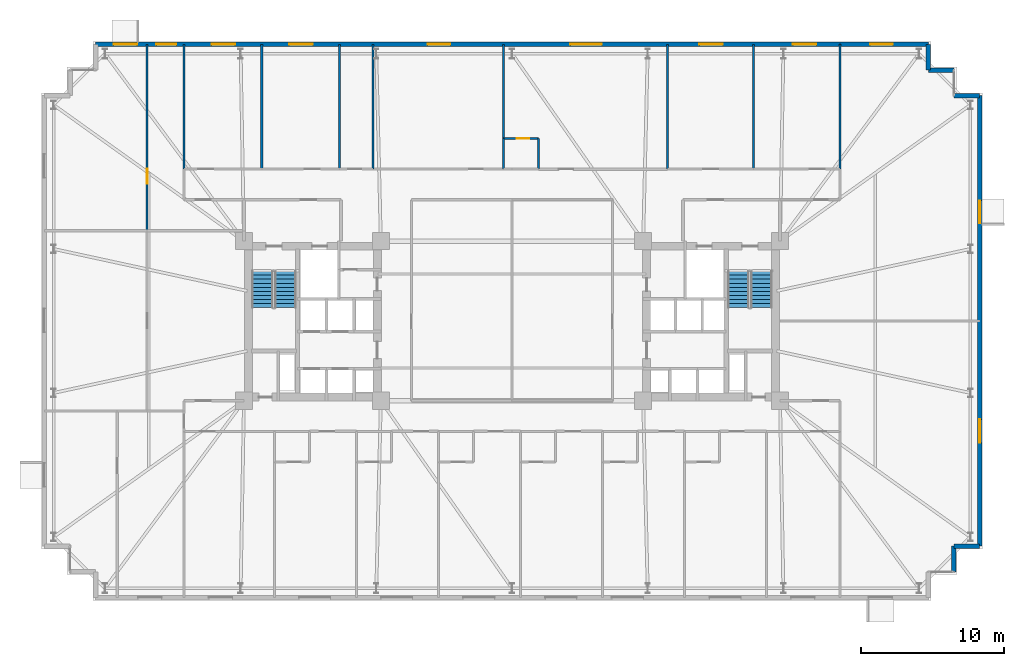
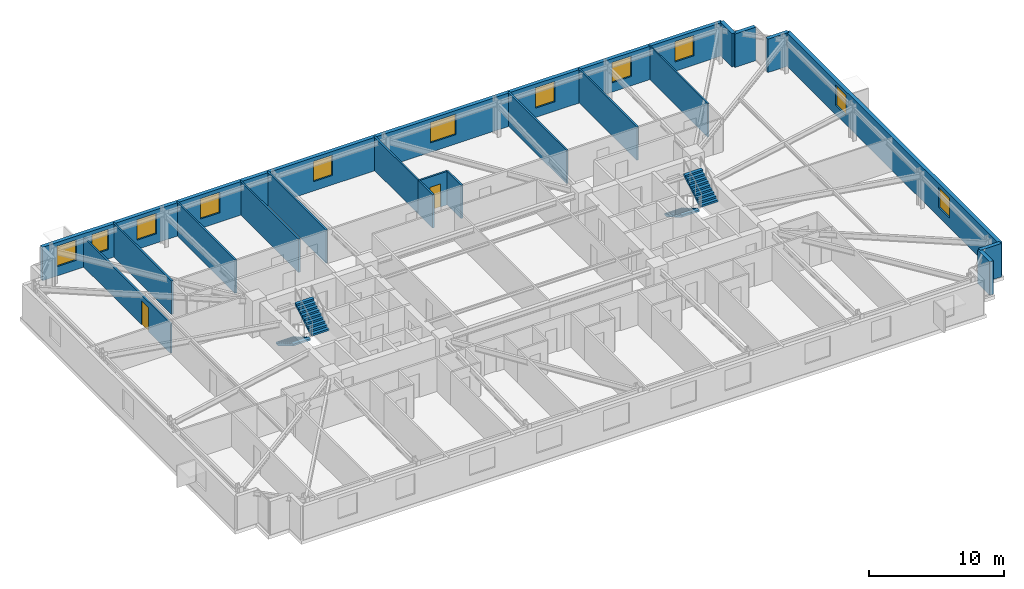
# One storey, part 18 of 20: 19 walls, 11 windows, 4 stair flights, 2 doors, 13 openings, 2 elements without a shape of their own.
"""IFC4 building model written with IfcOpenShell, lengths in metres."""

from ifc_helpers import new_model, si_unit, direction, frame, frame_2d, origin, place, context, subcontext, project, spatial, polyline, rectangle, outline, extrude, material, layer, layer_set, type_object, element, fill, aggregate, save


model = new_model("IFC4")

# Units and contexts
model_context = context("Model", 3, precision=1e-05, world=origin(), true_north=direction((0.0, 1.0)))
body_context = subcontext(model_context, "Body", "Model", "MODEL_VIEW")
ifc_project = project(units=[si_unit("LENGTHUNIT", "METRE"), si_unit("AREAUNIT", "SQUARE_METRE"), si_unit("VOLUMEUNIT", "CUBIC_METRE"), si_unit("PLANEANGLEUNIT", "RADIAN"), si_unit("MASSUNIT", "GRAM", prefix="KILO")], contexts=[model_context])

# Site, building, storey
site_placement = place(None, origin())
site = spatial("IfcSite", under=ifc_project, at=site_placement, CompositionType="ELEMENT")
building_placement = place(site_placement, origin())
building = spatial("IfcBuilding", under=site, at=building_placement, Name="Qobustan Lattice House", CompositionType="ELEMENT")
storey_placement = place(building_placement, frame((0.0, 0.0, 63.85009765625)))
storey = spatial("IfcBuildingStorey", under=building, at=storey_placement, Name="L17", CompositionType="ELEMENT", Elevation=63.85009765625)

# Wall, openings, windows
ifc_material_1 = material(Name="Precast concrete C40/50", Category="concrete")
ifc_layer_1 = layer(ifc_material_1, 0.320068359375)
ifc_layer_set_1 = layer_set([ifc_layer_1], Name="Precast concrete C40/50")
wall_type_1 = type_object("IfcWallType", Name="WAL-EXT-STONE-320", PredefinedType="SOLIDWALL", material=ifc_layer_set_1)
wall_1_placement = place(storey_placement, frame((-29.199951171875, 19.39990234375, 0.0), z_axis=(0.0, 0.0, 1.0), x_axis=(1.0, 0.0, 0.0)))
wall_1 = element("IfcWall", 1, at=wall_1_placement, inside=storey, type_object=wall_type_1, Name="L17 exterior limestone-clad wall 10", PredefinedType="SOLIDWALL", context=body_context, shape_type="SweptSolid", body=[
    extrude(rectangle(XDim=58.39990234375, YDim=0.320068359375, at=frame_2d((29.199951171875, 0.0))), origin(), (0.0, 0.0, 1.0), 3.034912109375),
])
opening_1_placement = place(wall_1_placement, frame((1.2548828125, 0.0, 0.85009765625)))
opening_1 = element("IfcOpeningElement", 2, at=opening_1_placement, cuts=wall_1, Name="Opening WN-09", PredefinedType="OPENING", context=body_context, shape_type="SweptSolid", body=[
    extrude(rectangle(XDim=1.64990234375, YDim=1.85009765625, at=frame_2d((0.824951171875, 0.925048828125))), frame((0.0, 0.169921875, 0.0), z_axis=(0.0, -1.0, 0.0), x_axis=(1.0, 0.0, 0.0)), (0.0, 0.0, 1.0), 0.340087890625),
])
opening_2_placement = place(wall_1_placement, frame((4.260009765625, 0.0, 0.85009765625)))
opening_2 = element("IfcOpeningElement", 3, at=opening_2_placement, cuts=wall_1, Name="Opening WN-12", PredefinedType="OPENING", context=body_context, shape_type="SweptSolid", body=[
    extrude(rectangle(XDim=1.39990234375, YDim=1.85009765625, at=frame_2d((0.699951171875, 0.925048828125))), frame((0.0, 0.169921875, 0.0), z_axis=(0.0, -1.0, 0.0), x_axis=(1.0, 0.0, 0.0)), (0.0, 0.0, 1.0), 0.340087890625),
])
opening_3_placement = place(wall_1_placement, frame((8.135009765625, 0.0, 0.85009765625)))
opening_3 = element("IfcOpeningElement", 4, at=opening_3_placement, cuts=wall_1, Name="Opening WN-09", PredefinedType="OPENING", context=body_context, shape_type="SweptSolid", body=[
    extrude(rectangle(XDim=1.64990234375, YDim=1.85009765625, at=frame_2d((0.824951171875, 0.925048828125))), frame((0.0, 0.169921875, 0.0), z_axis=(0.0, -1.0, 0.0), x_axis=(1.0, 0.0, 0.0)), (0.0, 0.0, 1.0), 0.340087890625),
])
opening_4_placement = place(wall_1_placement, frame((13.574951171875, 0.0, 0.85009765625)))
opening_4 = element("IfcOpeningElement", 5, at=opening_4_placement, cuts=wall_1, Name="Opening WN-09", PredefinedType="OPENING", context=body_context, shape_type="SweptSolid", body=[
    extrude(rectangle(XDim=1.64990234375, YDim=1.85009765625, at=frame_2d((0.824951171875, 0.925048828125))), frame((0.0, 0.169921875, 0.0), z_axis=(0.0, -1.0, 0.0), x_axis=(1.0, 0.0, 0.0)), (0.0, 0.0, 1.0), 0.340087890625),
])
opening_5_placement = place(wall_1_placement, frame((23.280029296875, 0.0, 0.85009765625)))
opening_5 = element("IfcOpeningElement", 6, at=opening_5_placement, cuts=wall_1, Name="Opening WN-13", PredefinedType="OPENING", context=body_context, shape_type="SweptSolid", body=[
    extrude(rectangle(XDim=1.60009765625, YDim=1.85009765625, at=frame_2d((0.800048828125, 0.925048828125))), frame((0.0, 0.169921875, 0.0), z_axis=(0.0, -1.0, 0.0), x_axis=(1.0, 0.0, 0.0)), (0.0, 0.0, 1.0), 0.340087890625),
])
opening_6_placement = place(wall_1_placement, frame((33.300048828125, 0.0, 0.85009765625)))
opening_6 = element("IfcOpeningElement", 7, at=opening_6_placement, cuts=wall_1, Name="Opening WN-03", PredefinedType="OPENING", context=body_context, shape_type="SweptSolid", body=[
    extrude(rectangle(XDim=2.199951171875, YDim=1.85009765625, at=frame_2d((1.10009765625, 0.925048828125))), frame((0.0, 0.169921875, 0.0), z_axis=(0.0, -1.0, 0.0), x_axis=(1.0, 0.0, 0.0)), (0.0, 0.0, 1.0), 0.340087890625),
])
opening_7_placement = place(wall_1_placement, frame((42.3349609375, 0.0, 0.85009765625)))
opening_7 = element("IfcOpeningElement", 8, at=opening_7_placement, cuts=wall_1, Name="Opening WN-09", PredefinedType="OPENING", context=body_context, shape_type="SweptSolid", body=[
    extrude(rectangle(XDim=1.64990234375, YDim=1.85009765625, at=frame_2d((0.824951171875, 0.925048828125))), frame((0.0, 0.169921875, 0.0), z_axis=(0.0, -1.0, 0.0), x_axis=(1.0, 0.0, 0.0)), (0.0, 0.0, 1.0), 0.340087890625),
])
opening_8_placement = place(wall_1_placement, frame((48.904541015625, 0.0, 0.85009765625)))
opening_8 = element("IfcOpeningElement", 9, at=opening_8_placement, cuts=wall_1, Name="Opening WN-09", PredefinedType="OPENING", context=body_context, shape_type="SweptSolid", body=[
    extrude(rectangle(XDim=1.64990234375, YDim=1.85009765625, at=frame_2d((0.824951171875, 0.925048828125))), frame((0.0, 0.169921875, 0.0), z_axis=(0.0, -1.0, 0.0), x_axis=(1.0, 0.0, 0.0)), (0.0, 0.0, 1.0), 0.340087890625),
])
opening_9_placement = place(wall_1_placement, frame((54.320068359375, 0.0, 0.85009765625)))
opening_9 = element("IfcOpeningElement", 10, at=opening_9_placement, cuts=wall_1, Name="Opening WN-13", PredefinedType="OPENING", context=body_context, shape_type="SweptSolid", body=[
    extrude(rectangle(XDim=1.60009765625, YDim=1.85009765625, at=frame_2d((0.800048828125, 0.925048828125))), frame((0.0, 0.169921875, 0.0), z_axis=(0.0, -1.0, 0.0), x_axis=(1.0, 0.0, 0.0)), (0.0, 0.0, 1.0), 0.340087890625),
])
ifc_material_2 = material(Name="Double-glazed low-E aluminium window", Category="aluminium")
window_type_1 = type_object("IfcWindowType", Name="WIN-BED-1400x1850", PartitioningType="SINGLE_PANEL", PredefinedType="WINDOW", material=ifc_material_2)
window_1_placement = place(opening_2_placement, origin())
window_1 = element("IfcWindow", 11, at=window_1_placement, inside=storey, type_object=window_type_1, Name="L17 Focus study room W3B window", OverallHeight=1.85009765625, OverallWidth=1.39990234375, PartitioningType="SINGLE_PANEL", PredefinedType="WINDOW", context=body_context, shape_type="SweptSolid", body=[
    extrude(rectangle(XDim=1.39990234375, YDim=1.85009765625, at=frame_2d((0.699951171875, 0.925048828125))), frame((0.0, 0.030029296875, 0.0), z_axis=(0.0, -1.0, 0.0), x_axis=(1.0, 0.0, 0.0)), (0.0, 0.0, 1.0), 0.06005859375),
])
fill(opening_2, window_1)
ifc_material_3 = material(Name="Double-glazed low-E aluminium window", Category="aluminium")
window_type_2 = type_object("IfcWindowType", Name="WIN-BED-1600x1850", PartitioningType="SINGLE_PANEL", PredefinedType="WINDOW", material=ifc_material_3)
window_2_placement = place(opening_5_placement, origin())
window_2 = element("IfcWindow", 12, at=window_2_placement, inside=storey, type_object=window_type_2, Name="L17 Laundry utility room window", OverallHeight=1.85009765625, OverallWidth=1.60009765625, PartitioningType="SINGLE_PANEL", PredefinedType="WINDOW", context=body_context, shape_type="SweptSolid", body=[
    extrude(rectangle(XDim=1.60009765625, YDim=1.85009765625, at=frame_2d((0.800048828125, 0.925048828125))), frame((0.0, 0.030029296875, 0.0), z_axis=(0.0, -1.0, 0.0), x_axis=(1.0, 0.0, 0.0)), (0.0, 0.0, 1.0), 0.06005859375),
])
fill(opening_5, window_2)
window_3_placement = place(opening_9_placement, origin())
window_3 = element("IfcWindow", 13, at=window_3_placement, inside=storey, type_object=window_type_2, Name="L17 Music and podcast studio window", OverallHeight=1.85009765625, OverallWidth=1.60009765625, PartitioningType="SINGLE_PANEL", PredefinedType="WINDOW", context=body_context, shape_type="SweptSolid", body=[
    extrude(rectangle(XDim=1.60009765625, YDim=1.85009765625, at=frame_2d((0.800048828125, 0.925048828125))), frame((0.0, 0.030029296875, 0.0), z_axis=(0.0, -1.0, 0.0), x_axis=(1.0, 0.0, 0.0)), (0.0, 0.0, 1.0), 0.06005859375),
])
fill(opening_9, window_3)
ifc_material_4 = material(Name="Double-glazed low-E aluminium window", Category="aluminium")
window_type_3 = type_object("IfcWindowType", Name="WIN-STU-1650x1850", PartitioningType="SINGLE_PANEL", PredefinedType="WINDOW", material=ifc_material_4)
window_4_placement = place(opening_1_placement, origin())
window_4 = element("IfcWindow", 14, at=window_4_placement, inside=storey, type_object=window_type_3, Name="L17 Focus study room W3A window", OverallHeight=1.85009765625, OverallWidth=1.64990234375, PartitioningType="SINGLE_PANEL", PredefinedType="WINDOW", context=body_context, shape_type="SweptSolid", body=[
    extrude(rectangle(XDim=1.64990234375, YDim=1.85009765625, at=frame_2d((0.824951171875, 0.925048828125))), frame((0.0, 0.030029296875, 0.0), z_axis=(0.0, -1.0, 0.0), x_axis=(1.0, 0.0, 0.0)), (0.0, 0.0, 1.0), 0.06005859375),
])
fill(opening_1, window_4)
window_5_placement = place(opening_3_placement, origin())
window_5 = element("IfcWindow", 15, at=window_5_placement, inside=storey, type_object=window_type_3, Name="L17 Focus study room N1A window", OverallHeight=1.85009765625, OverallWidth=1.64990234375, PartitioningType="SINGLE_PANEL", PredefinedType="WINDOW", context=body_context, shape_type="SweptSolid", body=[
    extrude(rectangle(XDim=1.64990234375, YDim=1.85009765625, at=frame_2d((0.824951171875, 0.925048828125))), frame((0.0, 0.030029296875, 0.0), z_axis=(0.0, -1.0, 0.0), x_axis=(1.0, 0.0, 0.0)), (0.0, 0.0, 1.0), 0.06005859375),
])
fill(opening_3, window_5)
window_6_placement = place(opening_4_placement, origin())
window_6 = element("IfcWindow", 16, at=window_6_placement, inside=storey, type_object=window_type_3, Name="L17 Focus study room N1B window", OverallHeight=1.85009765625, OverallWidth=1.64990234375, PartitioningType="SINGLE_PANEL", PredefinedType="WINDOW", context=body_context, shape_type="SweptSolid", body=[
    extrude(rectangle(XDim=1.64990234375, YDim=1.85009765625, at=frame_2d((0.824951171875, 0.925048828125))), frame((0.0, 0.030029296875, 0.0), z_axis=(0.0, -1.0, 0.0), x_axis=(1.0, 0.0, 0.0)), (0.0, 0.0, 1.0), 0.06005859375),
])
fill(opening_4, window_6)
window_7_placement = place(opening_7_placement, origin())
window_7 = element("IfcWindow", 17, at=window_7_placement, inside=storey, type_object=window_type_3, Name="L17 Focus study room N4A window", OverallHeight=1.85009765625, OverallWidth=1.64990234375, PartitioningType="SINGLE_PANEL", PredefinedType="WINDOW", context=body_context, shape_type="SweptSolid", body=[
    extrude(rectangle(XDim=1.64990234375, YDim=1.85009765625, at=frame_2d((0.824951171875, 0.925048828125))), frame((0.0, 0.030029296875, 0.0), z_axis=(0.0, -1.0, 0.0), x_axis=(1.0, 0.0, 0.0)), (0.0, 0.0, 1.0), 0.06005859375),
])
fill(opening_7, window_7)
window_8_placement = place(opening_8_placement, origin())
window_8 = element("IfcWindow", 18, at=window_8_placement, inside=storey, type_object=window_type_3, Name="L17 Focus study room N4B window", OverallHeight=1.85009765625, OverallWidth=1.64990234375, PartitioningType="SINGLE_PANEL", PredefinedType="WINDOW", context=body_context, shape_type="SweptSolid", body=[
    extrude(rectangle(XDim=1.64990234375, YDim=1.85009765625, at=frame_2d((0.824951171875, 0.925048828125))), frame((0.0, 0.030029296875, 0.0), z_axis=(0.0, -1.0, 0.0), x_axis=(1.0, 0.0, 0.0)), (0.0, 0.0, 1.0), 0.06005859375),
])
fill(opening_8, window_8)
ifc_material_5 = material(Name="Double-glazed low-E aluminium window", Category="aluminium")
window_type_4 = type_object("IfcWindowType", Name="WIN-WIDE-2200x1850", PartitioningType="SINGLE_PANEL", PredefinedType="WINDOW", material=ifc_material_5)
window_9_placement = place(opening_6_placement, origin())
window_9 = element("IfcWindow", 19, at=window_9_placement, inside=storey, type_object=window_type_4, Name="L17 Kitchenette and studio apartment L17-N3 window", OverallHeight=1.85009765625, OverallWidth=2.199951171875, PartitioningType="SINGLE_PANEL", PredefinedType="WINDOW", context=body_context, shape_type="SweptSolid", body=[
    extrude(rectangle(XDim=2.199951171875, YDim=1.85009765625, at=frame_2d((1.10009765625, 0.925048828125))), frame((0.0, 0.030029296875, 0.0), z_axis=(0.0, -1.0, 0.0), x_axis=(1.0, 0.0, 0.0)), (0.0, 0.0, 1.0), 0.06005859375),
])
fill(opening_6, window_9)

# Walls
wall_2_placement = place(storey_placement, frame((29.199951171875, 19.39990234375, 0.0), z_axis=(0.0, 0.0, 1.0), x_axis=(0.0, -1.0, 0.0)))
element("IfcWall", 20, at=wall_2_placement, inside=storey, type_object=wall_type_1, Name="L17 exterior limestone-clad wall 11", PredefinedType="SOLIDWALL", context=body_context, shape_type="SweptSolid", body=[
    extrude(rectangle(XDim=1.7998046875, YDim=0.320068359375, at=frame_2d((0.89990234375, 0.0))), origin(), (0.0, 0.0, 1.0), 3.034912109375),
])
for number, where, z_axis, x_axis, name in (
    (21, (29.199951171875, 17.60009765625, 0.0), (0.0, 0.0, 1.0), (1.0, 0.0, 0.0), "L17 exterior limestone-clad wall 12"),
    (22, (31.0, 15.800048828125, 0.0), (0.0, 0.0, 1.0), (1.0, 0.0, 0.0), "L17 exterior limestone-clad wall 14"),
):
    element("IfcWall", number, at=place(storey_placement, frame(where, z_axis=z_axis, x_axis=x_axis)), inside=storey, type_object=wall_type_1, Name=name, PredefinedType="SOLIDWALL", context=body_context, shape_type="SweptSolid", body=[
        extrude(rectangle(XDim=1.800048828125, YDim=0.320068359375, at=frame_2d((0.89990234375, 0.0))), origin(), (0.0, 0.0, 1.0), 3.034912109375),
    ])

# Wall, openings, windows
wall_3_placement = place(storey_placement, frame((32.800048828125, 15.800048828125, 0.0), z_axis=(0.0, 0.0, 1.0), x_axis=(0.0, -1.0, 0.0)))
wall_3 = element("IfcWall", 23, at=wall_3_placement, inside=storey, type_object=wall_type_1, Name="L17 exterior limestone-clad wall 15", PredefinedType="SOLIDWALL", context=body_context, shape_type="SweptSolid", body=[
    extrude(rectangle(XDim=31.60009765625, YDim=0.320068359375, at=frame_2d((15.800048828125, 0.0))), origin(), (0.0, 0.0, 1.0), 3.034912109375),
])
opening_10_placement = place(wall_3_placement, frame((7.360107421875, 0.0, 0.85009765625)))
opening_10 = element("IfcOpeningElement", 24, at=opening_10_placement, cuts=wall_3, Name="Opening WN-13", PredefinedType="OPENING", context=body_context, shape_type="SweptSolid", body=[
    extrude(rectangle(XDim=1.60009765625, YDim=1.85009765625, at=frame_2d((0.800048828125, 0.925048828125))), frame((0.0, 0.169921875, 0.0), z_axis=(0.0, -1.0, 0.0), x_axis=(1.0, 0.0, 0.0)), (0.0, 0.0, 1.0), 0.340087890625),
])
opening_11_placement = place(wall_3_placement, frame((22.695068359375, 0.0, 0.85009765625)))
opening_11 = element("IfcOpeningElement", 25, at=opening_11_placement, cuts=wall_3, Name="Opening WN-09", PredefinedType="OPENING", context=body_context, shape_type="SweptSolid", body=[
    extrude(rectangle(XDim=1.64990234375, YDim=1.85009765625, at=frame_2d((0.824951171875, 0.925048828125))), frame((0.0, 0.169921875, 0.0), z_axis=(0.0, -1.0, 0.0), x_axis=(1.0, 0.0, 0.0)), (0.0, 0.0, 1.0), 0.340087890625),
])
window_10_placement = place(opening_10_placement, origin())
window_10 = element("IfcWindow", 26, at=window_10_placement, inside=storey, type_object=window_type_2, Name="L17 Music and podcast studio window", OverallHeight=1.85009765625, OverallWidth=1.60009765625, PartitioningType="SINGLE_PANEL", PredefinedType="WINDOW", context=body_context, shape_type="SweptSolid", body=[
    extrude(rectangle(XDim=1.60009765625, YDim=1.85009765625, at=frame_2d((0.800048828125, 0.925048828125))), frame((0.0, 0.030029296875, 0.0), z_axis=(0.0, -1.0, 0.0), x_axis=(1.0, 0.0, 0.0)), (0.0, 0.0, 1.0), 0.06005859375),
])
fill(opening_10, window_10)
window_11_placement = place(opening_11_placement, origin())
window_11 = element("IfcWindow", 27, at=window_11_placement, inside=storey, type_object=window_type_3, Name="L17 Academic seminar room window", OverallHeight=1.85009765625, OverallWidth=1.64990234375, PartitioningType="SINGLE_PANEL", PredefinedType="WINDOW", context=body_context, shape_type="SweptSolid", body=[
    extrude(rectangle(XDim=1.64990234375, YDim=1.85009765625, at=frame_2d((0.824951171875, 0.925048828125))), frame((0.0, 0.030029296875, 0.0), z_axis=(0.0, -1.0, 0.0), x_axis=(1.0, 0.0, 0.0)), (0.0, 0.0, 1.0), 0.06005859375),
])
fill(opening_11, window_11)

# Walls
for number, where, z_axis, x_axis, name in (
    (28, (32.800048828125, -15.800048828125, 0.0), (0.0, 0.0, 1.0), (-1.0, 0.0, 0.0), "L17 exterior limestone-clad wall 16"),
    (29, (31.0, -15.800048828125, 0.0), (0.0, 0.0, 1.0), (0.0, -1.0, 0.0), "L17 exterior limestone-clad wall 17"),
):
    element("IfcWall", number, at=place(storey_placement, frame(where, z_axis=z_axis, x_axis=x_axis)), inside=storey, type_object=wall_type_1, Name=name, PredefinedType="SOLIDWALL", context=body_context, shape_type="SweptSolid", body=[
        extrude(rectangle(XDim=1.800048828125, YDim=0.320068359375, at=frame_2d((0.89990234375, 0.0))), origin(), (0.0, 0.0, 1.0), 3.034912109375),
    ])
ifc_material_6 = material(Name="Lightweight acoustic stud partition", Category="gypsum")
ifc_layer_2 = layer(ifc_material_6, 0.125)
ifc_layer_set_2 = layer_set([ifc_layer_2], Name="Lightweight acoustic stud partition")
wall_type_2 = type_object("IfcWallType", Name="WAL-PART-125", PredefinedType="PARTITIONING", material=ifc_layer_set_2)
wall_4_placement = place(storey_placement, frame((23.0, 10.64990234375, 0.0), z_axis=(0.0, 0.0, 1.0), x_axis=(0.0, 1.0, 0.0)))
element("IfcWall", 30, at=wall_4_placement, inside=storey, type_object=wall_type_2, Name="L17 interior partition 89", PredefinedType="PARTITIONING", context=body_context, shape_type="SweptSolid", body=[
    extrude(rectangle(XDim=8.75, YDim=0.125, at=frame_2d((4.375, 0.0))), origin(), (0.0, 0.0, 1.0), 3.034912109375),
])

# Wall, opening, door
ifc_material_7 = material(Name="Acoustic twin-stud gypsum partition", Category="gypsum")
ifc_layer_3 = layer(ifc_material_7, 0.14990234375)
ifc_layer_set_3 = layer_set([ifc_layer_3], Name="Acoustic twin-stud gypsum partition")
wall_type_3 = type_object("IfcWallType", Name="WAL-PART-150", PredefinedType="PARTITIONING", material=ifc_layer_set_3)
wall_5_placement = place(storey_placement, frame((-25.590087890625, 19.39990234375, 0.0), z_axis=(0.0, 0.0, 1.0), x_axis=(0.0, -1.0, 0.0)))
wall_5 = element("IfcWall", 31, at=wall_5_placement, inside=storey, type_object=wall_type_3, Name="L17 interior partition 85", PredefinedType="PARTITIONING", context=body_context, shape_type="SweptSolid", body=[
    extrude(rectangle(XDim=13.072998046875, YDim=0.14990234375, at=frame_2d((6.53662109375, 0.0))), origin(), (0.0, 0.0, 1.0), 2.68994140625),
])
opening_12_placement = place(wall_5_placement, frame((8.727294921875, 0.0, 0.0)))
opening_12 = element("IfcOpeningElement", 32, at=opening_12_placement, cuts=wall_5, Name="Opening ID-02", PredefinedType="OPENING", context=body_context, shape_type="SweptSolid", body=[
    extrude(rectangle(XDim=1.050048828125, YDim=2.14990234375, at=frame_2d((0.52490234375, 1.074951171875))), frame((0.0, 0.0849609375, 0.0), z_axis=(0.0, -1.0, 0.0), x_axis=(1.0, 0.0, 0.0)), (0.0, 0.0, 1.0), 0.169921875),
])
ifc_material_8 = material(Name="Persian walnut timber and steel frame door", Category="steel")
door_type_1 = type_object("IfcDoorType", Name="DOR-STUDY-1050x2150", OperationType="NOTDEFINED", PredefinedType="DOOR", material=ifc_material_8)
door_1_placement = place(opening_12_placement, origin())
door_1 = element("IfcDoor", 33, at=door_1_placement, inside=storey, type_object=door_type_1, Name="L17 Focus study room W3A to Focus study room W3B door", OperationType="SINGLE_SWING_LEFT", OverallHeight=2.14990234375, OverallWidth=1.050048828125, PredefinedType="DOOR", context=body_context, shape_type="SweptSolid", body=[
    extrude(rectangle(XDim=1.050048828125, YDim=2.14990234375, at=frame_2d((0.52490234375, 1.074951171875))), frame((0.0, 0.02490234375, 0.0), z_axis=(0.0, -1.0, 0.0), x_axis=(1.0, 0.0, 0.0)), (0.0, 0.0, 1.0), 0.050048828125),
])
fill(opening_12, door_1)

# Walls
for number, where, z_axis, x_axis, name in (
    (34, (-23.0, 19.39990234375, 0.0), (0.0, 0.0, 1.0), (0.0, -1.0, 0.0), "L17 interior partition 86"),
    (35, (-17.550048828125, 19.39990234375, 0.0), (0.0, 0.0, 1.0), (0.0, -1.0, 0.0), "L17 interior partition 90"),
):
    element("IfcWall", number, at=place(storey_placement, frame(where, z_axis=z_axis, x_axis=x_axis)), inside=storey, type_object=wall_type_3, Name=name, PredefinedType="PARTITIONING", context=body_context, shape_type="SweptSolid", body=[
        extrude(rectangle(XDim=8.75, YDim=0.14990234375, at=frame_2d((4.375, 0.0))), origin(), (0.0, 0.0, 1.0), 3.034912109375),
    ])
wall_6_placement = place(storey_placement, frame((-0.60009765625, 19.39990234375, 0.0), z_axis=(0.0, 0.0, 1.0), x_axis=(0.0, -1.0, 0.0)))
element("IfcWall", 36, at=wall_6_placement, inside=storey, type_object=wall_type_3, Name="L17 interior partition 93", PredefinedType="PARTITIONING", context=body_context, shape_type="SweptSolid", body=[
    extrude(rectangle(XDim=6.599853515625, YDim=0.14990234375, at=frame_2d((3.2998046875, 0.0))), origin(), (0.0, 0.0, 1.0), 3.034912109375),
])
for number, where, z_axis, x_axis, name in (
    (37, (10.89990234375, 19.39990234375, 0.0), (0.0, 0.0, 1.0), (0.0, -1.0, 0.0), "L17 interior partition 97"),
    (38, (16.949951171875, 19.39990234375, 0.0), (0.0, 0.0, 1.0), (0.0, -1.0, 0.0), "L17 interior partition 98"),
):
    element("IfcWall", number, at=place(storey_placement, frame(where, z_axis=z_axis, x_axis=x_axis)), inside=storey, type_object=wall_type_3, Name=name, PredefinedType="PARTITIONING", context=body_context, shape_type="SweptSolid", body=[
        extrude(rectangle(XDim=8.75, YDim=0.14990234375, at=frame_2d((4.375, 0.0))), origin(), (0.0, 0.0, 1.0), 3.034912109375),
    ])
ifc_material_9 = material(Name="Moisture-resistant acoustic plumbing wall", Category="gypsum")
ifc_layer_4 = layer(ifc_material_9, 0.14990234375)
ifc_layer_set_4 = layer_set([ifc_layer_4], Name="Moisture-resistant acoustic plumbing wall")
wall_type_4 = type_object("IfcWallType", Name="WAL-WET-150", PredefinedType="PLUMBINGWALL", material=ifc_layer_set_4)
for number, where, z_axis, x_axis, name in (
    (39, (-12.10009765625, 19.39990234375, 0.0), (0.0, 0.0, 1.0), (0.0, -1.0, 0.0), "L17 interior partition 91"),
    (40, (-9.75, 19.39990234375, 0.0), (0.0, 0.0, 1.0), (0.0, -1.0, 0.0), "L17 interior partition 92"),
):
    element("IfcWall", number, at=place(storey_placement, frame(where, z_axis=z_axis, x_axis=x_axis)), inside=storey, type_object=wall_type_4, Name=name, PredefinedType="PLUMBINGWALL", context=body_context, shape_type="SweptSolid", body=[
        extrude(rectangle(XDim=8.75, YDim=0.14990234375, at=frame_2d((4.375, 0.0))), origin(), (0.0, 0.0, 1.0), 3.034912109375),
    ])
wall_7_placement = place(storey_placement, frame((-0.60009765625, 12.800048828125, 0.0), z_axis=(0.0, 0.0, 1.0), x_axis=(0.0, -1.0, 0.0)))
element("IfcWall", 41, at=wall_7_placement, inside=storey, type_object=wall_type_4, Name="L17 interior partition 94", PredefinedType="PLUMBINGWALL", context=body_context, shape_type="SweptSolid", body=[
    extrude(rectangle(XDim=2.150146484375, YDim=0.14990234375, at=frame_2d((1.0751953125, 0.0))), origin(), (0.0, 0.0, 1.0), 3.034912109375),
])

# Wall, opening, door
wall_8_placement = place(storey_placement, frame((1.85009765625, 12.800048828125, 0.0), z_axis=(0.0, 0.0, 1.0), x_axis=(-1.0, 0.0, 0.0)))
wall_8 = element("IfcWall", 42, at=wall_8_placement, inside=storey, type_object=wall_type_4, Name="L17 interior partition 95", PredefinedType="PLUMBINGWALL", context=body_context, shape_type="SweptSolid", body=[
    extrude(rectangle(XDim=2.4501953125, YDim=0.14990234375, at=frame_2d((1.22509765625, 0.0))), origin(), (0.0, 0.0, 1.0), 3.034912109375),
])
opening_13_placement = place(wall_8_placement, frame((0.62890625, 0.0, 0.0)))
opening_13 = element("IfcOpeningElement", 43, at=opening_13_placement, cuts=wall_8, Name="Opening WD-01", PredefinedType="OPENING", context=body_context, shape_type="SweptSolid", body=[
    extrude(rectangle(XDim=0.89990234375, YDim=2.10009765625, at=frame_2d((0.449951171875, 1.050048828125))), frame((0.0, 0.0849609375, 0.0), z_axis=(0.0, -1.0, 0.0), x_axis=(1.0, 0.0, 0.0)), (0.0, 0.0, 1.0), 0.169921875),
])
ifc_material_10 = material(Name="Persian walnut timber and steel frame door", Category="steel")
door_type_2 = type_object("IfcDoorType", Name="DOR-WET-900x2100", OperationType="NOTDEFINED", PredefinedType="DOOR", material=ifc_material_10)
door_2_placement = place(opening_13_placement, origin())
door_2 = element("IfcDoor", 44, at=door_2_placement, inside=storey, type_object=door_type_2, Name="L17 Kitchenette and studio apartment L17-N3 to En-suite bathroom L17-N3 door", OperationType="SINGLE_SWING_RIGHT", OverallHeight=2.10009765625, OverallWidth=0.89990234375, PredefinedType="DOOR", context=body_context, shape_type="SweptSolid", body=[
    extrude(rectangle(XDim=0.89990234375, YDim=2.10009765625, at=frame_2d((0.449951171875, 1.050048828125))), frame((0.0, 0.02490234375, 0.0), z_axis=(0.0, -1.0, 0.0), x_axis=(1.0, 0.0, 0.0)), (0.0, 0.0, 1.0), 0.050048828125),
])
fill(opening_13, door_2)

# Wall
wall_9_placement = place(storey_placement, frame((1.85009765625, 10.64990234375, 0.0), z_axis=(0.0, 0.0, 1.0), x_axis=(0.0, 1.0, 0.0)))
element("IfcWall", 45, at=wall_9_placement, inside=storey, type_object=wall_type_4, Name="L17 interior partition 96", PredefinedType="PLUMBINGWALL", context=body_context, shape_type="SweptSolid", body=[
    extrude(rectangle(XDim=2.150146484375, YDim=0.14990234375, at=frame_2d((1.0751953125, 0.0))), origin(), (0.0, 0.0, 1.0), 3.034912109375),
])

# Stair, stair flights
ifc_material_11 = material(Name="Concrete C40/50", Category="concrete")
stair_type = type_object("IfcStairType", Name="STR-CORE-DOGLEG", PredefinedType="HALF_TURN_STAIR", material=ifc_material_11)
stair_1_placement = place(storey_placement, origin())
stair_1 = element("IfcStair", 46, at=stair_1_placement, inside=storey, type_object=stair_type, Name="L17 West protected exit stair ST-W1", PredefinedType="HALF_TURN_STAIR")
ifc_material_12 = material(Name="Concrete C40/50", Category="concrete")
stair_flight_type = type_object("IfcStairFlightType", Name="SFL-RC-1500", PredefinedType="STRAIGHT", material=ifc_material_12)
stair_flight_1_placement = place(storey_placement, frame((-17.5, 3.5, 0.0), z_axis=(0.0, 0.0, 1.0), x_axis=(0.0, -1.0, 0.0)))
stair_flight_1 = element("IfcStairFlight", 47, at=stair_flight_1_placement, type_object=stair_flight_type, Name="ST-W1 flight 1", NumberOfRisers=10, NumberOfTreads=9, PredefinedType="STRAIGHT", RiserHeight=0.1675, TreadLength=0.285, context=body_context, shape_type="SweptSolid", body=[
    extrude(outline(polyline([(0.0, 0.0), (0.0, 0.16748046875), (0.284912109375, 0.16748046875), (0.284912109375, 0.3349609375), (0.570068359375, 0.3349609375), (0.570068359375, 0.50244140625), (0.85498046875, 0.50244140625), (0.85498046875, 0.669921875), (1.139892578125, 0.669921875), (1.139892578125, 0.83740234375), (1.425048828125, 0.83740234375), (1.425048828125, 1.0048828125), (1.7099609375, 1.0048828125), (1.7099609375, 1.172607421875), (1.9951171875, 1.172607421875), (1.9951171875, 1.340087890625), (2.280029296875, 1.340087890625), (2.280029296875, 1.507568359375), (2.56494140625, 1.507568359375), (2.56494140625, 1.675048828125), (2.56494140625, 1.333740234375), (0.2958984375, 0.0), (0.0, 0.0)])), frame((0.0, 0.75, 0.0), z_axis=(0.0, -1.0, 0.0), x_axis=(1.0, 0.0, 0.0)), (0.0, 0.0, 1.0), 1.5),
])
stair_flight_2_placement = place(storey_placement, frame((-15.8798828125, 0.93505859375, 1.6748046875), z_axis=(0.0, 0.0, 1.0), x_axis=(0.0, 1.0, 0.0)))
stair_flight_2 = element("IfcStairFlight", 48, at=stair_flight_2_placement, type_object=stair_flight_type, Name="ST-W1 flight 2", NumberOfRisers=10, NumberOfTreads=9, PredefinedType="STRAIGHT", RiserHeight=0.1675, TreadLength=0.285, context=body_context, shape_type="SweptSolid", body=[
    extrude(outline(polyline([(0.0, 0.0), (0.0, 0.16748046875), (0.284912109375, 0.16748046875), (0.284912109375, 0.3349609375), (0.570068359375, 0.3349609375), (0.570068359375, 0.50244140625), (0.85498046875, 0.50244140625), (0.85498046875, 0.669921875), (1.139892578125, 0.669921875), (1.139892578125, 0.83740234375), (1.425048828125, 0.83740234375), (1.425048828125, 1.0048828125), (1.7099609375, 1.0048828125), (1.7099609375, 1.172607421875), (1.9951171875, 1.172607421875), (1.9951171875, 1.340087890625), (2.280029296875, 1.340087890625), (2.280029296875, 1.507568359375), (2.56494140625, 1.507568359375), (2.56494140625, 1.675048828125), (2.56494140625, 1.333740234375), (0.2958984375, 0.0), (0.0, 0.0)])), frame((0.0, 0.75, 0.0), z_axis=(0.0, -1.0, 0.0), x_axis=(1.0, 0.0, 0.0)), (0.0, 0.0, 1.0), 1.5),
])
aggregate(stair_1, [stair_flight_1, stair_flight_2])

stair_2_placement = place(storey_placement, origin())
stair_2 = element("IfcStair", 49, at=stair_2_placement, inside=storey, type_object=stair_type, Name="L17 East protected exit stair ST-E1", PredefinedType="HALF_TURN_STAIR")
stair_flight_3_placement = place(storey_placement, frame((15.8798828125, 3.5, 0.0), z_axis=(0.0, 0.0, 1.0), x_axis=(0.0, -1.0, 0.0)))
stair_flight_3 = element("IfcStairFlight", 50, at=stair_flight_3_placement, type_object=stair_flight_type, Name="ST-E1 flight 1", NumberOfRisers=10, NumberOfTreads=9, PredefinedType="STRAIGHT", RiserHeight=0.1675, TreadLength=0.285, context=body_context, shape_type="SweptSolid", body=[
    extrude(outline(polyline([(0.0, 0.0), (0.0, 0.16748046875), (0.284912109375, 0.16748046875), (0.284912109375, 0.3349609375), (0.570068359375, 0.3349609375), (0.570068359375, 0.50244140625), (0.85498046875, 0.50244140625), (0.85498046875, 0.669921875), (1.139892578125, 0.669921875), (1.139892578125, 0.83740234375), (1.425048828125, 0.83740234375), (1.425048828125, 1.0048828125), (1.7099609375, 1.0048828125), (1.7099609375, 1.172607421875), (1.9951171875, 1.172607421875), (1.9951171875, 1.340087890625), (2.280029296875, 1.340087890625), (2.280029296875, 1.507568359375), (2.56494140625, 1.507568359375), (2.56494140625, 1.675048828125), (2.56494140625, 1.333740234375), (0.2958984375, 0.0), (0.0, 0.0)])), frame((0.0, 0.75, 0.0), z_axis=(0.0, -1.0, 0.0), x_axis=(1.0, 0.0, 0.0)), (0.0, 0.0, 1.0), 1.5),
])
stair_flight_4_placement = place(storey_placement, frame((17.5, 0.93505859375, 1.6748046875), z_axis=(0.0, 0.0, 1.0), x_axis=(0.0, 1.0, 0.0)))
stair_flight_4 = element("IfcStairFlight", 51, at=stair_flight_4_placement, type_object=stair_flight_type, Name="ST-E1 flight 2", NumberOfRisers=10, NumberOfTreads=9, PredefinedType="STRAIGHT", RiserHeight=0.1675, TreadLength=0.285, context=body_context, shape_type="SweptSolid", body=[
    extrude(outline(polyline([(0.0, 0.0), (0.0, 0.16748046875), (0.284912109375, 0.16748046875), (0.284912109375, 0.3349609375), (0.570068359375, 0.3349609375), (0.570068359375, 0.50244140625), (0.85498046875, 0.50244140625), (0.85498046875, 0.669921875), (1.139892578125, 0.669921875), (1.139892578125, 0.83740234375), (1.425048828125, 0.83740234375), (1.425048828125, 1.0048828125), (1.7099609375, 1.0048828125), (1.7099609375, 1.172607421875), (1.9951171875, 1.172607421875), (1.9951171875, 1.340087890625), (2.280029296875, 1.340087890625), (2.280029296875, 1.507568359375), (2.56494140625, 1.507568359375), (2.56494140625, 1.675048828125), (2.56494140625, 1.333740234375), (0.2958984375, 0.0), (0.0, 0.0)])), frame((0.0, 0.75, 0.0), z_axis=(0.0, -1.0, 0.0), x_axis=(1.0, 0.0, 0.0)), (0.0, 0.0, 1.0), 1.5),
])
aggregate(stair_2, [stair_flight_3, stair_flight_4])

save(model, "model.ifc")
